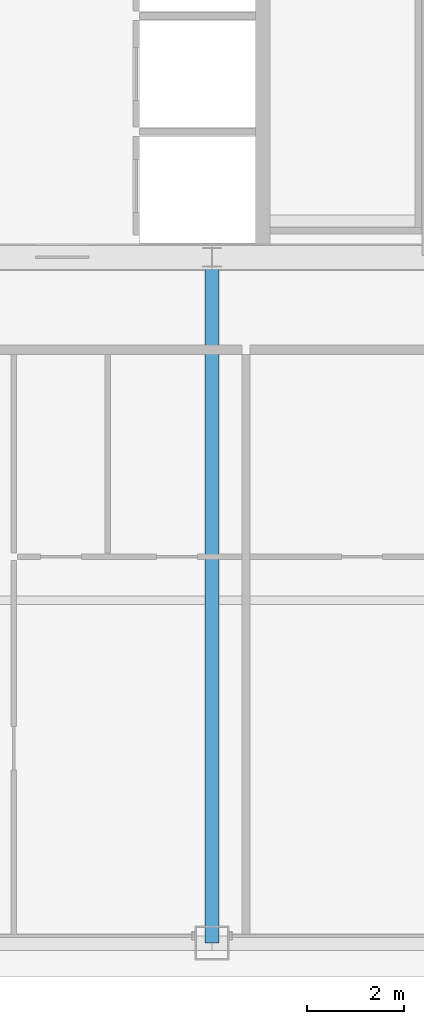
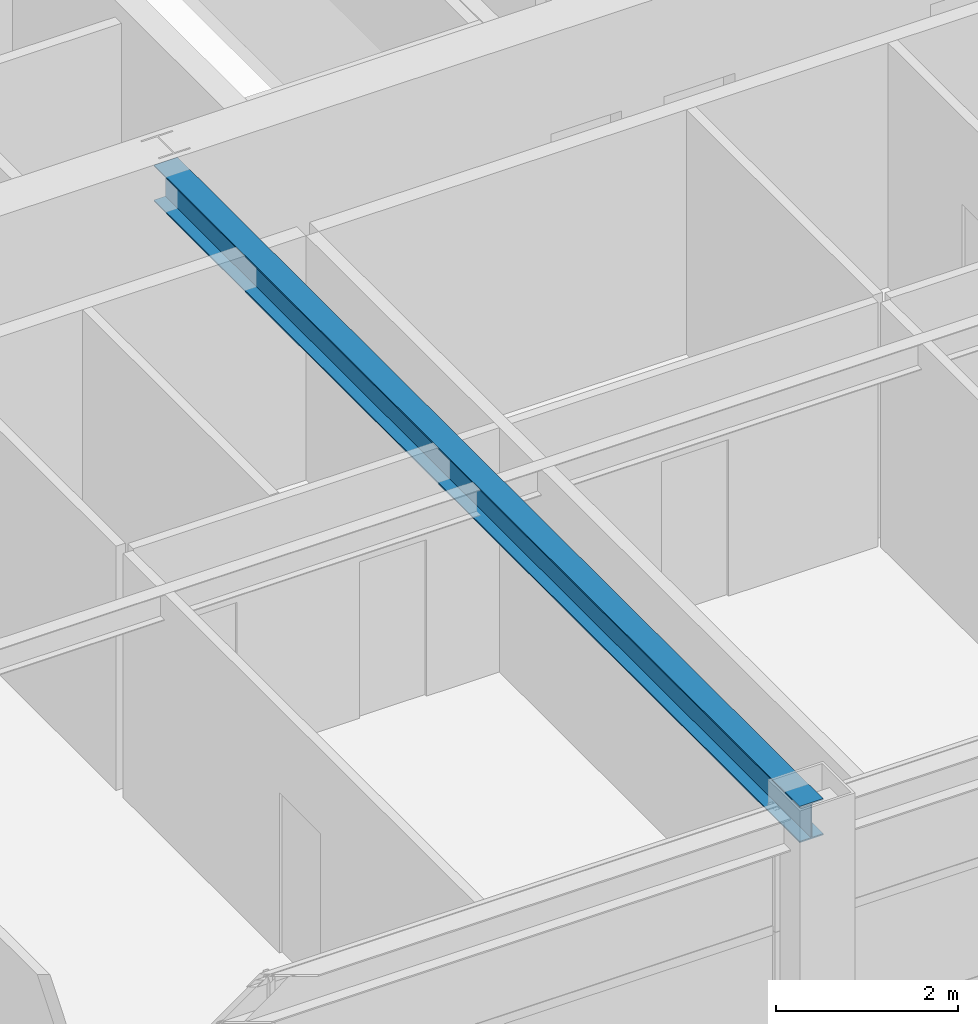
# One storey, part 10 of 36: 1 beam.
"""IFC4 building model written with IfcOpenShell, lengths in metres."""

from ifc_helpers import new_model, si_unit, direction, frame, origin, origin_2d, place, context, subcontext, project, spatial, i_section, extrude, source, transform, mapped, material, material_profile, profile_set, type_object, element, save


model = new_model("IFC4")

# Units and contexts
model_context = context("Model", 3, precision=1e-05, world=origin(), true_north=direction((0.0, 1.0)))
body_context = subcontext(model_context, "Body", "Model", "MODEL_VIEW")
ifc_project = project(units=[si_unit("LENGTHUNIT", "METRE"), si_unit("AREAUNIT", "SQUARE_METRE"), si_unit("VOLUMEUNIT", "CUBIC_METRE"), si_unit("PLANEANGLEUNIT", "RADIAN"), si_unit("MASSUNIT", "GRAM", prefix="KILO"), si_unit("THERMODYNAMICTEMPERATUREUNIT", "KELVIN"), si_unit("POWERUNIT", "WATT")], contexts=[model_context])

# Site, building, storey
site_placement = place(None, origin())
site = spatial("IfcSite", under=ifc_project, at=site_placement, CompositionType="ELEMENT")
building_placement = place(site_placement, origin())
building = spatial("IfcBuilding", under=site, at=building_placement, Name="Yuzanri Waterfront Tower", CompositionType="ELEMENT")
storey_placement = place(building_placement, frame((0.0, 0.0, 231.10009765625)))
storey = spatial("IfcBuildingStorey", under=building, at=storey_placement, Name="L61", CompositionType="ELEMENT", Elevation=231.10009765625)

# Beam
ifc_material = material(Name="Steel Q355B", Category="steel")
ifc_material_profile = material_profile(ifc_material, i_section(OverallWidth=0.300048828125, OverallDepth=0.488037109375, WebThickness=0.010986328125, FlangeThickness=0.01806640625, at=origin_2d()), Name="HM 488x300x11x18")
ifc_profile_set = profile_set([ifc_material_profile], Name="Steel Q355B")
beam_type = type_object("IfcBeamType", Name="Primary Floor Girder Q355B HM 488x300", PredefinedType="BEAM", material=ifc_profile_set)
shared_shape = source(origin(), body_context, "Body", "SweptSolid", [
    extrude(i_section(OverallWidth=0.300048828125, OverallDepth=0.488037109375, WebThickness=0.010986328125, FlangeThickness=0.01806640625, at=origin_2d()), origin(), (0.0, 0.0, 1.0), 14.199951171875),
])
beam_placement = place(storey_placement, frame((37.0, 19.39990234375, 3.035888671875), z_axis=(0.0, -1.0, 0.0), x_axis=(1.0, 0.0, 0.0)))
element("IfcBeam", 1, at=beam_placement, inside=storey, type_object=beam_type, Name="L61 South Grid Girder", PredefinedType="BEAM", context=body_context, shape_type="MappedRepresentation", body=[
    mapped(shared_shape, transform((0.0, 0.0, 0.0), scale=1.0)),
])

save(model, "model.ifc")
